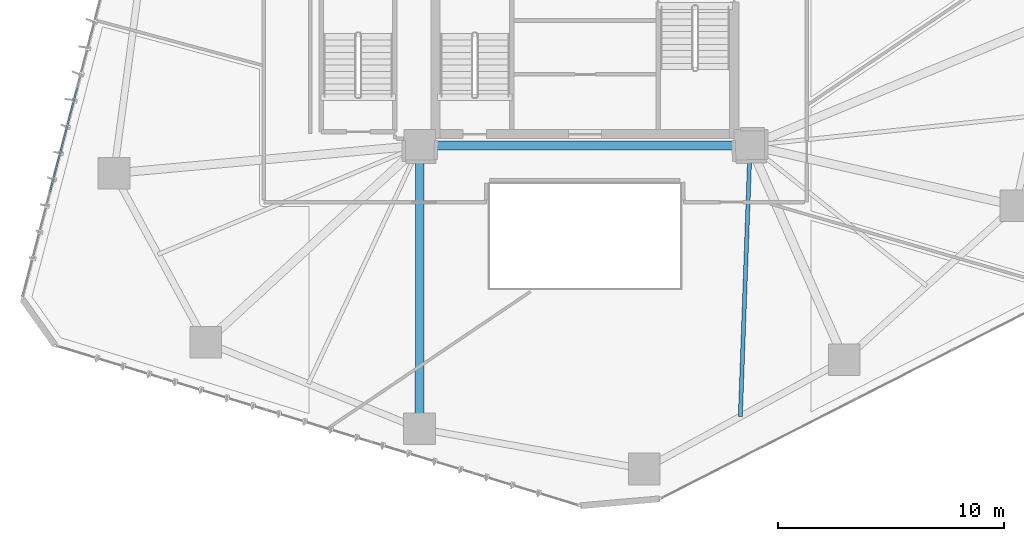
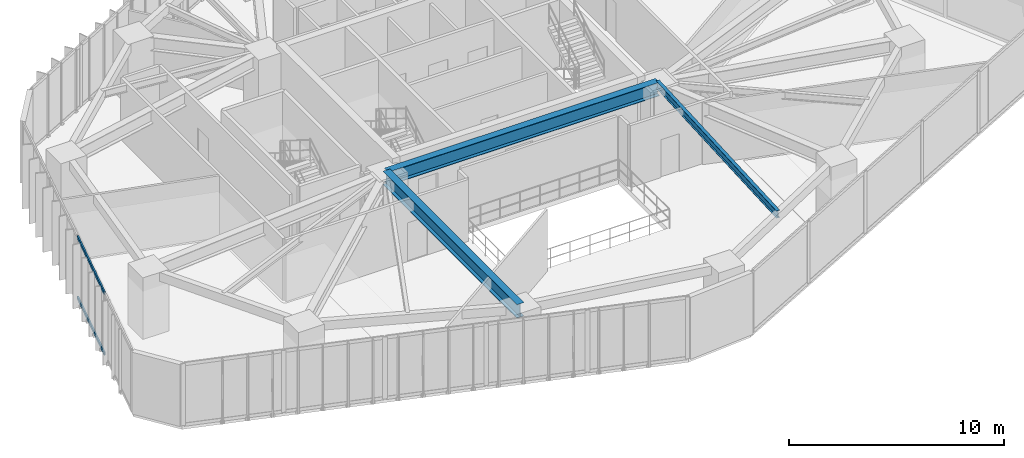
# One storey, part 6 of 24: 3 beams, 2 members, 1 element without a shape of its own.
"""IFC4 building model written with IfcOpenShell, lengths in metres."""

import ifcopenshell
import ifcopenshell.guid

model = None  # the IFC model being written
_history = None  # IfcOwnerHistory: only IFC2X3 demands one
_inside = {}  # id of a spatial element -> (the spatial element, [elements in it])
_under = {}  # id of a project, library or spatial element -> (it, [spatial elements below it])
_declared = {}  # id of a project -> (the project, [libraries it declares])
_typed = {}  # id of a type object -> (the type object, [elements of that type])
_made_of = {}  # id of a material, layer set ... -> (it, [elements and type objects made of it])


def new_model(schema):
    """Start an empty IFC model of exactly this schema.

    Asked for "IFC4X3", IfcOpenShell would pick the latest addendum, in which some entities
    have other attributes; the version numbers below select the first issue.
    IFC2X3 requires an IfcOwnerHistory on every rooted entity: one is made here for all.
    """
    global model, _history
    if schema == "IFC4X3":
        model = ifcopenshell.file(schema_version=(4, 3, 0, 0))
    else:
        model = ifcopenshell.file(schema=schema)
    _inside.clear()
    _under.clear()
    _declared.clear()
    _typed.clear()
    _made_of.clear()
    _history = None
    if model.schema == "IFC2X3":
        org = make("IfcOrganization", Name="unknown")
        user = make(
            "IfcPersonAndOrganization",
            ThePerson=make("IfcPerson", FamilyName="unknown"),
            TheOrganization=org,
        )
        app = make(
            "IfcApplication",
            ApplicationDeveloper=org,
            Version="unknown",
            ApplicationFullName="unknown",
            ApplicationIdentifier="unknown",
        )
        _history = make(
            "IfcOwnerHistory",
            OwningUser=user,
            OwningApplication=app,
            ChangeAction="ADDED",
            CreationDate=0,
        )
    return model


def make(cls, **values):
    """One entity of the class cls with the attributes given. An attribute that is None is left unset."""
    return model.create_entity(
        cls, **{name: value for name, value in values.items() if value is not None}
    )


def rooted(cls, **values):
    """An entity with a GlobalId (a new one), such as an element, a storey or a relation."""
    return make(cls, GlobalId=ifcopenshell.guid.new(), OwnerHistory=_history, **values)


def si_unit(unit_type, name, prefix=None):
    """IfcSIUnit, for example si_unit("LENGTHUNIT", "METRE", prefix="MILLI")."""
    return make("IfcSIUnit", UnitType=unit_type, Prefix=prefix, Name=name)


def assignment(units):
    """IfcUnitAssignment: the units of a project."""
    return None if units is None else make("IfcUnitAssignment", Units=units)


def point(xyz):
    """IfcCartesianPoint."""
    return None if xyz is None else make("IfcCartesianPoint", Coordinates=xyz)


def direction(xyz):
    """IfcDirection."""
    return None if xyz is None else make("IfcDirection", DirectionRatios=xyz)


def frame(location, z_axis=None, x_axis=None):
    """IfcAxis2Placement3D, a coordinate frame: its origin and axes. An axis left out is left unset."""
    return make(
        "IfcAxis2Placement3D",
        Location=point(location),
        Axis=direction(z_axis),
        RefDirection=direction(x_axis),
    )


def frame_2d(location, x_axis=None):
    """IfcAxis2Placement2D, a coordinate frame in the plane: its origin and x axis."""
    return make(
        "IfcAxis2Placement2D", Location=point(location), RefDirection=direction(x_axis)
    )


def origin():
    """The frame at (0, 0, 0) with its axes left unset."""
    return frame((0.0, 0.0, 0.0))


def origin_2d():
    """The frame at (0, 0) in the plane with its x axis left unset."""
    return frame_2d((0.0, 0.0))


def place(relative_to, where):
    """IfcLocalPlacement: puts the frame where relative to a parent placement (None: the world)."""
    return make(
        "IfcLocalPlacement", PlacementRelTo=relative_to, RelativePlacement=where
    )


def context(
    kind, dimensions, precision=None, world=None, true_north=None, identifier=None
):
    """IfcGeometricRepresentationContext, for example the 3D "Model" context."""
    return make(
        "IfcGeometricRepresentationContext",
        ContextIdentifier=identifier,
        ContextType=kind,
        CoordinateSpaceDimension=dimensions,
        Precision=precision,
        WorldCoordinateSystem=world,
        TrueNorth=true_north,
    )


def subcontext(parent, identifier, kind, view, scale=None):
    """IfcGeometricRepresentationSubContext, for example "Body" below "Model"."""
    return make(
        "IfcGeometricRepresentationSubContext",
        ContextIdentifier=identifier,
        ContextType=kind,
        ParentContext=parent,
        TargetScale=scale,
        TargetView=view,
    )


def project(units=None, contexts=None):
    """IfcProject with its units and contexts."""
    return rooted(
        "IfcProject",
        Name="project",
        RepresentationContexts=contexts,
        UnitsInContext=assignment(units),
    )


def spatial(cls, under=None, at=None, **own):
    """A site, building, storey or space (cls), placed at a placement, below another one or the project."""
    s = rooted(cls, ObjectPlacement=at, **own)
    if under is not None:
        _under.setdefault(under.id(), (under, []))[1].append(s)
    return s


def profile(cls, at=None, kind="AREA", **sizes):
    """A parametric profile (cls). Its sizes go by their IFC names, for example OverallWidth=200.0."""
    return make(cls, ProfileType=kind, Position=at, **sizes)


def hollow_rectangle(**sizes):
    """IfcRectangleHollowProfileDef."""
    return profile("IfcRectangleHollowProfileDef", **sizes)


def i_section(**sizes):
    """IfcIShapeProfileDef."""
    return profile("IfcIShapeProfileDef", **sizes)


def extrude(swept, where, along, depth):
    """IfcExtrudedAreaSolid: the profile swept, set in the frame where, extruded along a direction by depth."""
    return make(
        "IfcExtrudedAreaSolid",
        SweptArea=swept,
        Position=where,
        ExtrudedDirection=direction(along),
        Depth=depth,
    )


def shape(context_of_items, identifier, shape_type, items):
    """IfcShapeRepresentation: the items that make up one representation, for example the "Body"."""
    return make(
        "IfcShapeRepresentation",
        ContextOfItems=context_of_items,
        RepresentationIdentifier=identifier,
        RepresentationType=shape_type,
        Items=items,
    )


def source(mapping_origin, context_of_items, identifier, shape_type, items):
    """IfcRepresentationMap: a shape defined once, which mapped items show again and again."""
    return make(
        "IfcRepresentationMap",
        MappingOrigin=mapping_origin,
        MappedRepresentation=shape(context_of_items, identifier, shape_type, items),
    )


def transform(
    local_origin,
    x_axis=None,
    y_axis=None,
    z_axis=None,
    scale=None,
    scale2=None,
    scale3=None,
    uniform=True,
):
    """IfcCartesianTransformationOperator3D, or its non-uniform kind. x_axis, y_axis, z_axis: its Axis1, 2, 3."""
    if uniform:
        return make(
            "IfcCartesianTransformationOperator3D",
            Axis1=direction(x_axis),
            Axis2=direction(y_axis),
            LocalOrigin=point(local_origin),
            Scale=scale,
            Axis3=direction(z_axis),
        )
    return make(
        "IfcCartesianTransformationOperator3DnonUniform",
        Axis1=direction(x_axis),
        Axis2=direction(y_axis),
        LocalOrigin=point(local_origin),
        Scale=scale,
        Axis3=direction(z_axis),
        Scale2=scale2,
        Scale3=scale3,
    )


def mapped(mapping_source, mapping_target):
    """IfcMappedItem: shows the shape of a source again, moved by a transform."""
    return make(
        "IfcMappedItem", MappingSource=mapping_source, MappingTarget=mapping_target
    )


def material(Name=None, Category=None):
    """IfcMaterial."""
    return make("IfcMaterial", Name=Name, Category=Category)


def layer(
    of_material, thickness, ventilated=None, Name=None, Category=None, Priority=None
):
    """IfcMaterialLayer: one layer of a wall or slab, of a material (None: an air gap)."""
    return make(
        "IfcMaterialLayer",
        Material=of_material,
        LayerThickness=thickness,
        IsVentilated=ventilated,
        Name=Name,
        Category=Category,
        Priority=Priority,
    )


def layer_set(layers, Name=None):
    """IfcMaterialLayerSet."""
    return make("IfcMaterialLayerSet", MaterialLayers=layers, LayerSetName=Name)


def material_profile(
    of_material, cross_section, Name=None, Category=None, Priority=None
):
    """IfcMaterialProfile: a cross section and its material."""
    return make(
        "IfcMaterialProfile",
        Name=Name,
        Material=of_material,
        Profile=cross_section,
        Priority=Priority,
        Category=Category,
    )


def profile_set(profiles, Name=None, composite=None):
    """IfcMaterialProfileSet."""
    return make(
        "IfcMaterialProfileSet",
        Name=Name,
        MaterialProfiles=profiles,
        CompositeProfile=composite,
    )


def made_of(thing, what):
    """Note that an element or type object is made of a material, layer set ...; save() writes the relation."""
    if what is not None:
        _made_of.setdefault(what.id(), (what, []))[1].append(thing)
    return thing


def type_object(cls, material=None, **own):
    """A type object (cls), such as IfcWallType, which elements share."""
    return made_of(rooted(cls, **own), material)


def type_shapes(of_type, sources):
    """Give a type object the sources (RepresentationMaps) that its elements show as mapped items."""
    of_type.RepresentationMaps = sources


def element(
    cls,
    number,
    at=None,
    inside=None,
    cuts=None,
    type_object=None,
    material=None,
    context=None,
    identifier="Body",
    shape_type=None,
    held_by="IfcProductDefinitionShape",
    body=None,
    shapes=None,
    **own,
):
    """One element of the class cls, such as IfcWall. Its Tag is "e" and its number.

    at: its placement. inside: the storey or other place that contains it. cuts: it is an
    opening in that element (IfcRelVoidsElement). A single representation is given by context,
    identifier, shape_type and body (its items); several are given by shapes. held_by: the class
    of the entity that holds the representations. save() writes the other relations.
    """
    e = rooted(cls, Tag="e%d" % number, ObjectPlacement=at, **own)
    if body is not None:
        shapes = [shape(context, identifier, shape_type, body)]
    if shapes is not None:
        e.Representation = make(held_by, Representations=shapes)
    if inside is not None:
        _inside.setdefault(inside.id(), (inside, []))[1].append(e)
    if cuts is not None:
        rooted(
            "IfcRelVoidsElement", RelatingBuildingElement=cuts, RelatedOpeningElement=e
        )
    if type_object is not None:
        _typed.setdefault(type_object.id(), (type_object, []))[1].append(e)
    return made_of(e, material)


def aggregate(whole, parts):
    """IfcRelAggregates: a whole, such as a stair, and the parts it consists of."""
    return rooted("IfcRelAggregates", RelatingObject=whole, RelatedObjects=parts)


def save(model, path):
    """Write the relations noted so far, then the file.

    IfcRelAggregates (storeys below a building ...), IfcRelContainedInSpatialStructure (elements
    in a storey), IfcRelDefinesByType, IfcRelAssociatesMaterial and IfcRelDeclares: one each for
    every whole, place, type object, material and project.
    """
    for whole, parts in _under.values():
        aggregate(whole, parts)
    for where, things in _inside.values():
        rooted(
            "IfcRelContainedInSpatialStructure",
            RelatedElements=things,
            RelatingStructure=where,
        )
    for kind, things in _typed.values():
        rooted("IfcRelDefinesByType", RelatedObjects=things, RelatingType=kind)
    for what, things in _made_of.values():
        rooted("IfcRelAssociatesMaterial", RelatedObjects=things, RelatingMaterial=what)
    for by, libraries in _declared.values():
        rooted("IfcRelDeclares", RelatingContext=by, RelatedDefinitions=libraries)
    model.write(path)


model = new_model("IFC4")

# Units and contexts
model_context = context("Model", 3, precision=1e-05, world=origin(), true_north=direction((0.0, 1.0)))
body_context = subcontext(model_context, "Body", "Model", "MODEL_VIEW")
ifc_project = project(units=[si_unit("LENGTHUNIT", "METRE"), si_unit("AREAUNIT", "SQUARE_METRE"), si_unit("VOLUMEUNIT", "CUBIC_METRE"), si_unit("PLANEANGLEUNIT", "RADIAN"), si_unit("MASSUNIT", "GRAM", prefix="KILO")], contexts=[model_context])

# Site, building, storey
site_placement = place(None, origin())
site = spatial("IfcSite", under=ifc_project, at=site_placement, CompositionType="ELEMENT")
building_placement = place(site_placement, origin())
building = spatial("IfcBuilding", under=site, at=building_placement, Name="Talar Marvaseh", CompositionType="ELEMENT")
storey_placement = place(building_placement, frame((0.0, 0.0, 39.199951171875)))
storey = spatial("IfcBuildingStorey", under=building, at=storey_placement, Name="L09", CompositionType="ELEMENT", Elevation=39.199951171875)

# Beams
ifc_material_1 = material(Name="Steel S355", Category="steel")
ifc_material_profile_1 = material_profile(ifc_material_1, i_section(OverallWidth=0.381103515625, OverallDepth=0.77294921875, WebThickness=0.0166015625, FlangeThickness=0.027099609375, at=origin_2d()), Name="W760x257")
ifc_profile_set_1 = profile_set([ifc_material_profile_1], Name="Steel S355")
beam_type_1 = type_object("IfcBeamType", Name="Zone 1 Radial Floor Girder W760x257", PredefinedType="BEAM", material=ifc_profile_set_1)
beam_1_placement = place(storey_placement, frame((18.699951171875, 25.5, 3.133544921875), z_axis=(1.0, 0.0, 0.0), x_axis=(0.0, 1.0, 0.0)))
element("IfcBeam", 1, at=beam_1_placement, inside=storey, type_object=beam_type_1, Name="L09 Zone 1 Radial Floor Girder W760x257", PredefinedType="BEAM", context=body_context, shape_type="SweptSolid", body=[
    extrude(i_section(OverallWidth=0.381103515625, OverallDepth=0.77294921875, WebThickness=0.0166015625, FlangeThickness=0.027099609375, at=origin_2d()), origin(), (0.0, 0.0, 1.0), 14.60009765625),
])
beam_2_placement = place(storey_placement, frame((18.68310546875, 12.97900390625, 3.133544921875), z_axis=(0.001345395187, 0.999999094955, 0.0), x_axis=(-0.999999094955, 0.001345395187, 0.0)))
element("IfcBeam", 2, at=beam_2_placement, inside=storey, type_object=beam_type_1, Name="L09 Zone 1 Radial Floor Girder W760x257", PredefinedType="BEAM", context=body_context, shape_type="SweptSolid", body=[
    extrude(i_section(OverallWidth=0.381103515625, OverallDepth=0.77294921875, WebThickness=0.0166015625, FlangeThickness=0.027099609375, at=origin_2d()), origin(), (0.0, 0.0, 1.0), 12.52099609375),
])
ifc_material_profile_2 = material_profile(ifc_material_1, i_section(OverallWidth=0.179931640625, OverallDepth=0.4130859375, WebThickness=0.009765625, FlangeThickness=0.01611328125, at=origin_2d()), Name="W410x75")
ifc_profile_set_2 = profile_set([ifc_material_profile_2], Name="Steel S355")
beam_type_2 = type_object("IfcBeamType", Name="Zone 1 Secondary Floor Joist W410x75", PredefinedType="JOIST", material=ifc_profile_set_2)
beam_3_placement = place(storey_placement, frame((32.86962890625, 13.511474609375, 3.3134765625), z_axis=(0.035879540639, 0.999356121992, 0.0), x_axis=(-0.999356121992, 0.035879540639, 0.0)))
element("IfcBeam", 3, at=beam_3_placement, inside=storey, type_object=beam_type_2, Name="L09 Zone 1 Secondary Floor Joist W410x75", PredefinedType="JOIST", context=body_context, shape_type="SweptSolid", body=[
    extrude(i_section(OverallWidth=0.179931640625, OverallDepth=0.4130859375, WebThickness=0.009765625, FlangeThickness=0.01611328125, at=origin_2d()), origin(), (0.0, 0.0, 1.0), 11.996337890625),
])

# Curtain wall, members
ifc_material_2 = material(Name="Architectural Aluminium", Category="aluminium")
ifc_layer = layer(ifc_material_2, 0.219970703125)
ifc_layer_set = layer_set([ifc_layer], Name="Architectural Aluminium")
curtain_wall_type = type_object("IfcCurtainWallType", Name="Unitised Low-E Museum Curtain Wall Z1", PredefinedType="NOTDEFINED", material=ifc_layer_set)
curtain_wall_placement = place(storey_placement, origin())
curtain_wall = element("IfcCurtainWall", 4, at=curtain_wall_placement, inside=storey, type_object=curtain_wall_type, Name="L09 Unitised Low-E Museum Curtain Wall Z1", PredefinedType="NOTDEFINED")
ifc_material_profile_3 = material_profile(ifc_material_2, hollow_rectangle(XDim=0.074951171875, YDim=0.179931640625, WallThickness=0.0048828125, at=origin_2d()), Name="RHS180x75x5")
ifc_profile_set_3 = profile_set([ifc_material_profile_3], Name="Architectural Aluminium")
member_type = type_object("IfcMemberType", Name="Unitised Curtain Wall Transom RHS180x75x5", PredefinedType="USERDEFINED", material=ifc_profile_set_3)
shared_shape = source(origin(), body_context, "Body", "SweptSolid", [
    extrude(hollow_rectangle(XDim=0.074951171875, YDim=0.179931640625, WallThickness=0.0048828125, at=origin_2d()), origin(), (0.0, 0.0, 1.0), 4.736572265625),
])
type_shapes(member_type, [shared_shape])
member_1_placement = place(storey_placement, frame((2.350341796875, 23.4453125, 0.03759765625), z_axis=(0.2529757894, 0.96747260942, 0.0), x_axis=(-0.96747260942, 0.2529757894, 0.0)))
member_1 = element("IfcMember", 5, at=member_1_placement, type_object=member_type, Name="CW-Z1 transom 2.1", ObjectType="TRANSOM", PredefinedType="USERDEFINED", context=body_context, shape_type="MappedRepresentation", body=[
    mapped(shared_shape, transform((0.0, 0.0, 0.0), x_axis=(1.0, 0.0, 0.0), y_axis=(0.0, 1.0, 0.0), z_axis=(0.0, 0.0, 1.0), scale=1.0)),
])
member_2_placement = place(storey_placement, frame((2.350341796875, 23.4453125, 3.482666015625), z_axis=(0.2529757894, 0.96747260942, 0.0), x_axis=(-0.96747260942, 0.2529757894, 0.0)))
member_2 = element("IfcMember", 6, at=member_2_placement, type_object=member_type, Name="CW-Z1 transom 2.2", ObjectType="TRANSOM", PredefinedType="USERDEFINED", context=body_context, shape_type="MappedRepresentation", body=[
    mapped(shared_shape, transform((0.0, 0.0, 0.0), x_axis=(1.0, 0.0, 0.0), y_axis=(0.0, 1.0, 0.0), z_axis=(0.0, 0.0, 1.0), scale=1.0)),
])
aggregate(curtain_wall, [member_1, member_2])

save(model, "model.ifc")
